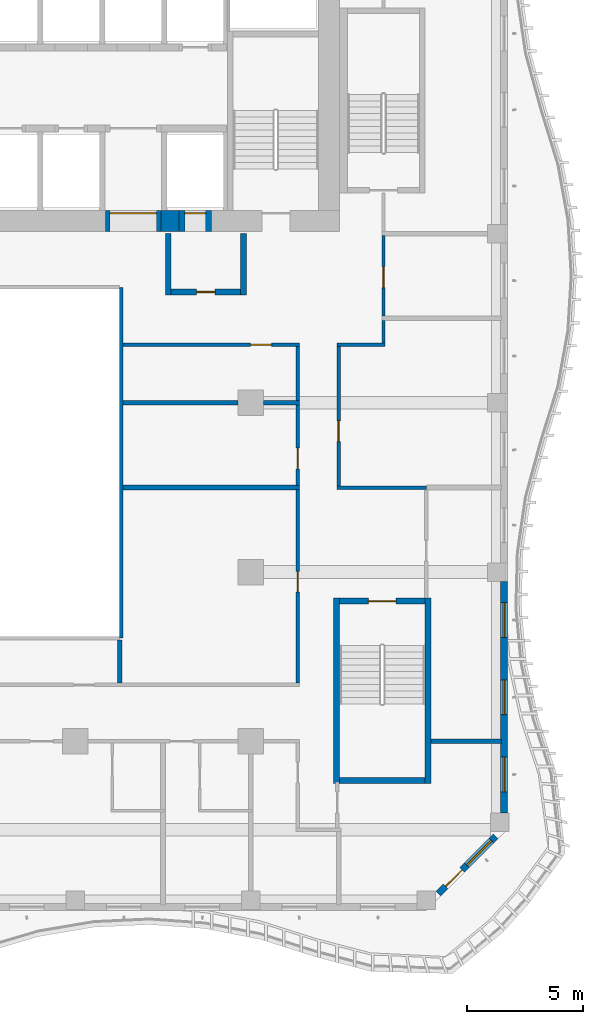
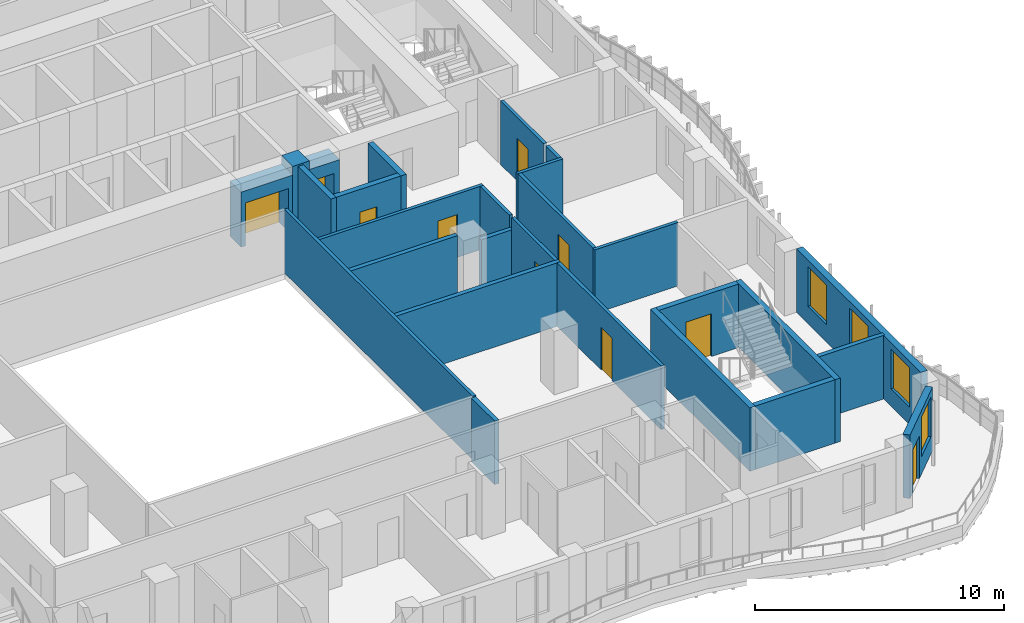
# One storey, part 5 of 22: 27 walls, 10 doors, 4 windows, 14 openings.
"""IFC4 building model written with IfcOpenShell, lengths in metres."""

from ifc_helpers import new_model, si_unit, direction, frame, frame_2d, origin, place, context, subcontext, project, spatial, rectangle, extrude, source, transform, mapped, material, layer, layer_set, type_object, element, fill, save


model = new_model("IFC4")

# Units and contexts
model_context = context("Model", 3, precision=1e-05, world=origin(), true_north=direction((0.0, 1.0)))
body_context = subcontext(model_context, "Body", "Model", "MODEL_VIEW")
ifc_project = project(units=[si_unit("LENGTHUNIT", "METRE"), si_unit("AREAUNIT", "SQUARE_METRE"), si_unit("VOLUMEUNIT", "CUBIC_METRE"), si_unit("PLANEANGLEUNIT", "RADIAN"), si_unit("MASSUNIT", "GRAM", prefix="KILO")], contexts=[model_context])

# Site, building, storey
site_placement = place(None, origin())
site = spatial("IfcSite", under=ifc_project, at=site_placement, CompositionType="ELEMENT")
building_placement = place(site_placement, origin())
building = spatial("IfcBuilding", under=site, at=building_placement, Name="Kilnfold Tower and Market Hall", CompositionType="ELEMENT")
storey_placement = place(building_placement, frame((0.0, 0.0, 154.10009765625)))
storey = spatial("IfcBuildingStorey", under=building, at=storey_placement, Name="L35", CompositionType="ELEMENT", Elevation=154.10009765625)

# Wall
ifc_material_1 = material(Name="Fire-resisting glazed screen")
ifc_layer_1 = layer(ifc_material_1, 0.14990234375)
ifc_layer_set_1 = layer_set([ifc_layer_1], Name="Fire-resisting glazed screen")
wall_type_1 = type_object("IfcWallType", Name="WALL ATRIUM 150", PredefinedType="PARTITIONING", material=ifc_layer_set_1)
wall_1_placement = place(storey_placement, frame((8.574951171875, 5.675048828125, 0.0), z_axis=(0.0, 0.0, 1.0), x_axis=(0.0, -1.0, 0.0)))
element("IfcWall", 1, at=wall_1_placement, inside=storey, type_object=wall_type_1, Name="Partition LY23.110", PredefinedType="PARTITIONING", context=body_context, shape_type="SweptSolid", body=[
    extrude(rectangle(XDim=15.150146484375, YDim=0.14990234375, at=frame_2d((7.5751953125, 0.0))), origin(), (0.0, 0.0, 1.0), 3.119873046875),
])

# Wall, opening, door
ifc_material_2 = material(Name="Gypsum board on steel studs", Category="steel")
ifc_layer_2 = layer(ifc_material_2, 0.14990234375)
ifc_layer_set_2 = layer_set([ifc_layer_2], Name="Gypsum board on steel studs")
wall_type_2 = type_object("IfcWallType", Name="WALL CORRIDOR 150", PredefinedType="PARTITIONING", material=ifc_layer_set_2)
wall_2_placement = place(storey_placement, frame((19.89990234375, 4.43408203125, 0.0), z_axis=(0.0, 0.0, 1.0), x_axis=(0.0, 1.0, 0.0)))
wall_2 = element("IfcWall", 2, at=wall_2_placement, inside=storey, type_object=wall_type_2, Name="Partition LY23.23", PredefinedType="PARTITIONING", context=body_context, shape_type="SweptSolid", body=[
    extrude(rectangle(XDim=3.475830078125, YDim=0.14990234375, at=frame_2d((1.73779296875, 0.0))), origin(), (0.0, 0.0, 1.0), 3.119873046875),
])
opening_1_placement = place(wall_2_placement, frame((1.236083984375, 0.0, 0.0)))
opening_1 = element("IfcOpeningElement", 3, at=opening_1_placement, cuts=wall_2, Name="Opening D2", PredefinedType="OPENING", context=body_context, shape_type="SweptSolid", body=[
    extrude(rectangle(XDim=0.89990234375, YDim=2.10009765625, at=frame_2d((0.449951171875, 1.050048828125))), frame((0.0, 0.0849609375, 0.0), z_axis=(0.0, -1.0, 0.0), x_axis=(1.0, 0.0, 0.0)), (0.0, 0.0, 1.0), 0.169921875),
])
ifc_material_3 = material(Name="Timber veneer door leaf in steel frame", Category="steel")
door_type_1 = type_object("IfcDoorType", Name="DOOR ROOM 900 X2100", OperationType="NOTDEFINED", PredefinedType="DOOR", material=ifc_material_3)
door_1_placement = place(opening_1_placement, origin())
door_1 = element("IfcDoor", 4, at=door_1_placement, inside=storey, type_object=door_type_1, Name="Door D2", OperationType="SINGLE_SWING_LEFT", OverallHeight=2.10009765625, OverallWidth=0.89990234375, PredefinedType="DOOR", context=body_context, shape_type="SweptSolid", body=[
    extrude(rectangle(XDim=0.89990234375, YDim=2.10009765625, at=frame_2d((0.449951171875, 1.050048828125))), frame((0.0, 0.02490234375, 0.0), z_axis=(0.0, -1.0, 0.0), x_axis=(1.0, 0.0, 0.0)), (0.0, 0.0, 1.0), 0.050048828125),
])
fill(opening_1, door_1)

# Walls
wall_3_placement = place(storey_placement, frame((19.89990234375, 3.27490234375, 0.0), z_axis=(0.0, 0.0, 1.0), x_axis=(0.0, 1.0, 0.0)))
element("IfcWall", 5, at=wall_3_placement, inside=storey, type_object=wall_type_2, Name="Partition LY23.27", PredefinedType="PARTITIONING", context=body_context, shape_type="SweptSolid", body=[
    extrude(rectangle(XDim=0.97900390625, YDim=0.14990234375, at=frame_2d((0.489501953125, 0.0))), origin(), (0.0, 0.0, 1.0), 3.119873046875),
])
wall_4_placement = place(storey_placement, frame((17.884033203125, 3.199951171875, 0.0), z_axis=(0.0, 0.0, 1.0), x_axis=(1.0, 0.0, 0.0)))
element("IfcWall", 6, at=wall_4_placement, inside=storey, type_object=wall_type_2, Name="Partition LY23.28", PredefinedType="PARTITIONING", context=body_context, shape_type="SweptSolid", body=[
    extrude(rectangle(XDim=2.091064453125, YDim=0.14990234375, at=frame_2d((1.04541015625, 0.0))), origin(), (0.0, 0.0, 1.0), 3.119873046875),
])

# Wall, opening, door
wall_5_placement = place(storey_placement, frame((17.958984375, -2.89404296875, 0.0), z_axis=(0.0, 0.0, 1.0), x_axis=(0.0, 1.0, 0.0)))
wall_5 = element("IfcWall", 7, at=wall_5_placement, inside=storey, type_object=wall_type_2, Name="Partition LY23.29", PredefinedType="PARTITIONING", context=body_context, shape_type="SweptSolid", body=[
    extrude(rectangle(XDim=6.01904296875, YDim=0.14990234375, at=frame_2d((3.009521484375, 0.0))), origin(), (0.0, 0.0, 1.0), 3.119873046875),
])
opening_2_placement = place(wall_5_placement, frame((1.906982421875, 0.0, 0.0)))
opening_2 = element("IfcOpeningElement", 8, at=opening_2_placement, cuts=wall_5, Name="Opening D2", PredefinedType="OPENING", context=body_context, shape_type="SweptSolid", body=[
    extrude(rectangle(XDim=0.89990234375, YDim=2.10009765625, at=frame_2d((0.449951171875, 1.050048828125))), frame((0.0, 0.0849609375, 0.0), z_axis=(0.0, -1.0, 0.0), x_axis=(1.0, 0.0, 0.0)), (0.0, 0.0, 1.0), 0.169921875),
])
door_2_placement = place(opening_2_placement, origin())
door_2 = element("IfcDoor", 9, at=door_2_placement, inside=storey, type_object=door_type_1, Name="Door D2", OperationType="SINGLE_SWING_RIGHT", OverallHeight=2.10009765625, OverallWidth=0.89990234375, PredefinedType="DOOR", context=body_context, shape_type="SweptSolid", body=[
    extrude(rectangle(XDim=0.89990234375, YDim=2.10009765625, at=frame_2d((0.449951171875, 1.050048828125))), frame((0.0, 0.02490234375, 0.0), z_axis=(0.0, -1.0, 0.0), x_axis=(1.0, 0.0, 0.0)), (0.0, 0.0, 1.0), 0.050048828125),
])
fill(opening_2, door_2)

# Wall
wall_6_placement = place(storey_placement, frame((21.7509765625, -2.968994140625, 0.0), z_axis=(0.0, 0.0, 1.0), x_axis=(-1.0, 0.0, 0.0)))
element("IfcWall", 10, at=wall_6_placement, inside=storey, type_object=wall_type_2, Name="Partition LY23.30", PredefinedType="PARTITIONING", context=body_context, shape_type="SweptSolid", body=[
    extrude(rectangle(XDim=3.866943359375, YDim=0.14990234375, at=frame_2d((1.93359375, 0.0))), origin(), (0.0, 0.0, 1.0), 3.119873046875),
])

# Wall, opening, door
wall_7_placement = place(storey_placement, frame((16.199951171875, -11.425048828125, 0.0), z_axis=(0.0, 0.0, 1.0), x_axis=(0.0, 1.0, 0.0)))
wall_7 = element("IfcWall", 11, at=wall_7_placement, inside=storey, type_object=wall_type_2, Name="Partition LY23.40", PredefinedType="PARTITIONING", context=body_context, shape_type="SweptSolid", body=[
    extrude(rectangle(XDim=8.365966796875, YDim=0.14990234375, at=frame_2d((4.18310546875, 0.0))), origin(), (0.0, 0.0, 1.0), 3.119873046875),
])
opening_3_placement = place(wall_7_placement, frame((3.93505859375, 0.0, 0.0)))
opening_3 = element("IfcOpeningElement", 12, at=opening_3_placement, cuts=wall_7, Name="Opening D2", PredefinedType="OPENING", context=body_context, shape_type="SweptSolid", body=[
    extrude(rectangle(XDim=0.89990234375, YDim=2.10009765625, at=frame_2d((0.449951171875, 1.050048828125))), frame((0.0, 0.0849609375, 0.0), z_axis=(0.0, -1.0, 0.0), x_axis=(1.0, 0.0, 0.0)), (0.0, 0.0, 1.0), 0.169921875),
])
door_3_placement = place(opening_3_placement, origin())
door_3 = element("IfcDoor", 13, at=door_3_placement, inside=storey, type_object=door_type_1, Name="Door D2", OperationType="SINGLE_SWING_RIGHT", OverallHeight=2.10009765625, OverallWidth=0.89990234375, PredefinedType="DOOR", context=body_context, shape_type="SweptSolid", body=[
    extrude(rectangle(XDim=0.89990234375, YDim=2.10009765625, at=frame_2d((0.449951171875, 1.050048828125))), frame((0.0, 0.02490234375, 0.0), z_axis=(0.0, -1.0, 0.0), x_axis=(1.0, 0.0, 0.0)), (0.0, 0.0, 1.0), 0.050048828125),
])
fill(opening_3, door_3)

wall_8_placement = place(storey_placement, frame((16.199951171875, -2.87890625, 0.0), z_axis=(0.0, 0.0, 1.0), x_axis=(0.0, 1.0, 0.0)))
wall_8 = element("IfcWall", 14, at=wall_8_placement, inside=storey, type_object=wall_type_2, Name="Partition LY23.41", PredefinedType="PARTITIONING", context=body_context, shape_type="SweptSolid", body=[
    extrude(rectangle(XDim=3.476806640625, YDim=0.14990234375, at=frame_2d((1.73828125, 0.0))), origin(), (0.0, 0.0, 1.0), 3.119873046875),
])
opening_4_placement = place(wall_8_placement, frame((0.718017578125, 0.0, 0.0)))
opening_4 = element("IfcOpeningElement", 15, at=opening_4_placement, cuts=wall_8, Name="Opening D2", PredefinedType="OPENING", context=body_context, shape_type="SweptSolid", body=[
    extrude(rectangle(XDim=0.89990234375, YDim=2.10009765625, at=frame_2d((0.449951171875, 1.050048828125))), frame((0.0, 0.0849609375, 0.0), z_axis=(0.0, -1.0, 0.0), x_axis=(1.0, 0.0, 0.0)), (0.0, 0.0, 1.0), 0.169921875),
])
door_4_placement = place(opening_4_placement, origin())
door_4 = element("IfcDoor", 16, at=door_4_placement, inside=storey, type_object=door_type_1, Name="Door D2", OperationType="SINGLE_SWING_LEFT", OverallHeight=2.10009765625, OverallWidth=0.89990234375, PredefinedType="DOOR", context=body_context, shape_type="SweptSolid", body=[
    extrude(rectangle(XDim=0.89990234375, YDim=2.10009765625, at=frame_2d((0.449951171875, 1.050048828125))), frame((0.0, 0.02490234375, 0.0), z_axis=(0.0, -1.0, 0.0), x_axis=(1.0, 0.0, 0.0)), (0.0, 0.0, 1.0), 0.050048828125),
])
fill(opening_4, door_4)

# Wall
wall_9_placement = place(storey_placement, frame((16.199951171875, 0.778076171875, 0.0), z_axis=(0.0, 0.0, 1.0), x_axis=(0.0, 1.0, 0.0)))
element("IfcWall", 17, at=wall_9_placement, inside=storey, type_object=wall_type_2, Name="Partition LY23.42", PredefinedType="PARTITIONING", context=body_context, shape_type="SweptSolid", body=[
    extrude(rectangle(XDim=2.346923828125, YDim=0.14990234375, at=frame_2d((1.17333984375, 0.0))), origin(), (0.0, 0.0, 1.0), 3.119873046875),
])

# Wall, opening, door
wall_10_placement = place(storey_placement, frame((8.64990234375, 3.199951171875, 0.0), z_axis=(0.0, 0.0, 1.0), x_axis=(1.0, 0.0, 0.0)))
wall_10 = element("IfcWall", 18, at=wall_10_placement, inside=storey, type_object=wall_type_2, Name="Partition LY23.43", PredefinedType="PARTITIONING", context=body_context, shape_type="SweptSolid", body=[
    extrude(rectangle(XDim=7.625, YDim=0.14990234375, at=frame_2d((3.8125, 0.0))), origin(), (0.0, 0.0, 1.0), 3.119873046875),
])
opening_5_placement = place(wall_10_placement, frame((5.512939453125, 0.0, 0.0)))
opening_5 = element("IfcOpeningElement", 19, at=opening_5_placement, cuts=wall_10, Name="Opening D2", PredefinedType="OPENING", context=body_context, shape_type="SweptSolid", body=[
    extrude(rectangle(XDim=0.89990234375, YDim=2.10009765625, at=frame_2d((0.449951171875, 1.050048828125))), frame((0.0, 0.0849609375, 0.0), z_axis=(0.0, -1.0, 0.0), x_axis=(1.0, 0.0, 0.0)), (0.0, 0.0, 1.0), 0.169921875),
])
door_5_placement = place(opening_5_placement, origin())
door_5 = element("IfcDoor", 20, at=door_5_placement, inside=storey, type_object=door_type_1, Name="Door D2", OperationType="SINGLE_SWING_LEFT", OverallHeight=2.10009765625, OverallWidth=0.89990234375, PredefinedType="DOOR", context=body_context, shape_type="SweptSolid", body=[
    extrude(rectangle(XDim=0.89990234375, YDim=2.10009765625, at=frame_2d((0.449951171875, 1.050048828125))), frame((0.0, 0.02490234375, 0.0), z_axis=(0.0, -1.0, 0.0), x_axis=(1.0, 0.0, 0.0)), (0.0, 0.0, 1.0), 0.050048828125),
])
fill(opening_5, door_5)

# Walls
ifc_material_4 = material(Name="Gypsum board on steel studs", Category="steel")
ifc_layer_3 = layer(ifc_material_4, 0.199951171875)
ifc_layer_set_3 = layer_set([ifc_layer_3], Name="Gypsum board on steel studs")
wall_type_3 = type_object("IfcWallType", Name="WALL PARTY 200", PredefinedType="PARTITIONING", material=ifc_layer_set_3)
wall_11_placement = place(storey_placement, frame((25.0, -13.93798828125, 0.0), z_axis=(0.0, 0.0, 1.0), x_axis=(-1.0, 0.0, 0.0)))
element("IfcWall", 21, at=wall_11_placement, inside=storey, type_object=wall_type_3, Name="Partition LY23.61", PredefinedType="PARTITIONING", context=body_context, shape_type="SweptSolid", body=[
    extrude(rectangle(XDim=3.050048828125, YDim=0.199951171875, at=frame_2d((1.52490234375, 0.0))), origin(), (0.0, 0.0, 1.0), 3.119873046875),
])
wall_12_placement = place(storey_placement, frame((8.5, -11.423095703125, 0.0), z_axis=(0.0, 0.0, 1.0), x_axis=(0.0, 1.0, 0.0)))
element("IfcWall", 22, at=wall_12_placement, inside=storey, type_object=wall_type_3, Name="Partition LY23.103", PredefinedType="PARTITIONING", context=body_context, shape_type="SweptSolid", body=[
    extrude(rectangle(XDim=1.873046875, YDim=0.199951171875, at=frame_2d((0.9365234375, 0.0))), origin(), (0.0, 0.0, 1.0), 3.119873046875),
])
wall_13_placement = place(storey_placement, frame((8.64990234375, -2.968994140625, 0.0), z_axis=(0.0, 0.0, 1.0), x_axis=(1.0, 0.0, 0.0)))
element("IfcWall", 23, at=wall_13_placement, inside=storey, type_object=wall_type_3, Name="Partition LY23.104", PredefinedType="PARTITIONING", context=body_context, shape_type="SweptSolid", body=[
    extrude(rectangle(XDim=7.623046875, YDim=0.199951171875, at=frame_2d((3.8115234375, 0.0))), origin(), (0.0, 0.0, 1.0), 3.119873046875),
])
wall_14_placement = place(storey_placement, frame((14.717041015625, 0.68798828125, 0.0), z_axis=(0.0, 0.0, 1.0), x_axis=(1.0, 0.0, 0.0)))
element("IfcWall", 24, at=wall_14_placement, inside=storey, type_object=wall_type_3, Name="Partition LY23.105", PredefinedType="PARTITIONING", context=body_context, shape_type="SweptSolid", body=[
    extrude(rectangle(XDim=1.555908203125, YDim=0.199951171875, at=frame_2d((0.77783203125, 0.0))), origin(), (0.0, 0.0, 1.0), 2.52001953125),
])
wall_15_placement = place(storey_placement, frame((8.64990234375, 0.68798828125, 0.0), z_axis=(0.0, 0.0, 1.0), x_axis=(1.0, 0.0, 0.0)))
element("IfcWall", 25, at=wall_15_placement, inside=storey, type_object=wall_type_3, Name="Partition LY23.106", PredefinedType="PARTITIONING", context=body_context, shape_type="SweptSolid", body=[
    extrude(rectangle(XDim=4.967041015625, YDim=0.199951171875, at=frame_2d((2.4833984375, 0.0))), origin(), (0.0, 0.0, 1.0), 3.119873046875),
])
ifc_material_5 = material(Name="Concrete C70", Category="concrete")
ifc_layer_4 = layer(ifc_material_5, 0.89990234375)
ifc_layer_set_4 = layer_set([ifc_layer_4], Name="Concrete C70")
wall_type_4 = type_object("IfcWallType", Name="CORE WALL 900 C70", PredefinedType="SHEAR", material=ifc_layer_set_4)
shared_shape_1 = source(origin(), body_context, "Body", "SweptSolid", [
    extrude(rectangle(XDim=0.780029296875, YDim=0.89990234375, at=frame_2d((0.39013671875, 0.0))), origin(), (0.0, 0.0, 1.0), 3.119873046875),
])
wall_16_placement = place(storey_placement, frame((10.2900390625, 8.550048828125, 0.0), z_axis=(0.0, 0.0, 1.0), x_axis=(1.0, 0.0, 0.0)))
element("IfcWall", 26, at=wall_16_placement, inside=storey, type_object=wall_type_4, Name="Core outer wall south", PredefinedType="SHEAR", context=body_context, shape_type="MappedRepresentation", body=[
    mapped(shared_shape_1, transform((0.0, 0.0, 0.0))),
])
ifc_material_6 = material(Name="Concrete C70", Category="concrete")
ifc_layer_5 = layer(ifc_material_6, 0.25)
ifc_layer_set_5 = layer_set([ifc_layer_5], Name="Concrete C70")
wall_type_5 = type_object("IfcWallType", Name="CORE WALL 250 C70", PredefinedType="SHEAR", material=ifc_layer_set_5)
shared_shape_2 = source(origin(), body_context, "Body", "SweptSolid", [
    extrude(rectangle(XDim=3.699951171875, YDim=0.25, at=frame_2d((1.85009765625, 0.0))), origin(), (0.0, 0.0, 1.0), 3.119873046875),
])
wall_17_placement = place(storey_placement, frame((18.0, -15.625, 0.0), z_axis=(0.0, 0.0, 1.0), x_axis=(1.0, 0.0, 0.0)))
element("IfcWall", 27, at=wall_17_placement, inside=storey, type_object=wall_type_5, Name="Stair enclosure ST4", PredefinedType="SHEAR", context=body_context, shape_type="MappedRepresentation", body=[
    mapped(shared_shape_2, transform((0.0, 0.0, 0.0))),
])

# Wall, opening, door
wall_18_placement = place(storey_placement, frame((18.0, -7.875, 0.0), z_axis=(0.0, 0.0, 1.0), x_axis=(1.0, 0.0, 0.0)))
wall_18 = element("IfcWall", 28, at=wall_18_placement, inside=storey, type_object=wall_type_5, Name="Stair enclosure ST4", PredefinedType="SHEAR", context=body_context, shape_type="MappedRepresentation", body=[
    mapped(shared_shape_2, transform((0.0, 0.0, 0.0))),
])
opening_6_placement = place(wall_18_placement, frame((1.25, 0.0, 0.0)))
opening_6 = element("IfcOpeningElement", 29, at=opening_6_placement, cuts=wall_18, Name="Opening SD1", PredefinedType="OPENING", context=body_context, shape_type="SweptSolid", body=[
    extrude(rectangle(XDim=1.199951171875, YDim=2.10009765625, at=frame_2d((0.60009765625, 1.050048828125))), frame((0.0, 0.135009765625, 0.0), z_axis=(0.0, -1.0, 0.0), x_axis=(1.0, 0.0, 0.0)), (0.0, 0.0, 1.0), 0.27001953125),
])
ifc_material_7 = material(Name="Steel door set with fire-resisting leaf", Category="steel")
door_type_2 = type_object("IfcDoorType", Name="STAIR FLOOR DOOR 1200X2100", OperationType="NOTDEFINED", PredefinedType="DOOR", material=ifc_material_7)
door_6_placement = place(opening_6_placement, origin())
door_6 = element("IfcDoor", 30, at=door_6_placement, inside=storey, type_object=door_type_2, Name="Exit stair ST4 door", OperationType="DOUBLE_DOOR_SINGLE_SWING", OverallHeight=2.10009765625, OverallWidth=1.199951171875, PredefinedType="DOOR", context=body_context, shape_type="SweptSolid", body=[
    extrude(rectangle(XDim=1.199951171875, YDim=2.10009765625, at=frame_2d((0.60009765625, 1.050048828125))), frame((0.0, 0.02490234375, 0.0), z_axis=(0.0, -1.0, 0.0), x_axis=(1.0, 0.0, 0.0)), (0.0, 0.0, 1.0), 0.050048828125),
])
fill(opening_6, door_6)

# Walls
shared_shape_3 = source(origin(), body_context, "Body", "SweptSolid", [
    extrude(rectangle(XDim=8.0, YDim=0.25, at=frame_2d((4.0, 0.0))), origin(), (0.0, 0.0, 1.0), 3.119873046875),
])
for number, where, z_axis, x_axis, name in (
    (31, (17.875, -15.75, 0.0), (0.0, 0.0, 1.0), (0.0, 1.0, 0.0), "Stair enclosure ST4"),
    (32, (21.824951171875, -15.75, 0.0), (0.0, 0.0, 1.0), (0.0, 1.0, 0.0), "Stair enclosure ST4"),
):
    element("IfcWall", number, at=place(storey_placement, frame(where, z_axis=z_axis, x_axis=x_axis)), inside=storey, type_object=wall_type_5, Name=name, PredefinedType="SHEAR", context=body_context, shape_type="MappedRepresentation", body=[
        mapped(shared_shape_3, transform((0.0, 0.0, 0.0))),
    ])

# Wall, openings, door, window
ifc_material_8 = material(Name="Precast concrete C50/60", Category="concrete")
ifc_layer_6 = layer(ifc_material_8, 0.300048828125)
ifc_layer_set_6 = layer_set([ifc_layer_6], Name="Precast concrete C50/60")
wall_type_6 = type_object("IfcWallType", Name="PRECAST WALL 300", PredefinedType="SOLIDWALL", material=ifc_layer_set_6)
shared_shape_4 = source(origin(), body_context, "Body", "SweptSolid", [
    extrude(rectangle(XDim=3.500244140625, YDim=0.300048828125, at=frame_2d((1.75, 0.0))), origin(), (0.0, 0.0, 1.0), 3.119873046875),
])
wall_19_placement = place(storey_placement, frame((22.268798828125, -20.518798828125, 0.0), z_axis=(0.0, 0.0, 1.0), x_axis=(0.707141656123, 0.70707190453, 0.0)))
wall_19 = element("IfcWall", 33, at=wall_19_placement, inside=storey, type_object=wall_type_6, Name="External wall L35 SE", PredefinedType="SOLIDWALL", context=body_context, shape_type="MappedRepresentation", body=[
    mapped(shared_shape_4, transform((0.0, 0.0, 0.0))),
])
opening_7_placement = place(wall_19_placement, frame((1.75, 0.0, 0.85009765625)))
opening_7 = element("IfcOpeningElement", 34, at=opening_7_placement, cuts=wall_19, Name="Opening W4", PredefinedType="OPENING", context=body_context, shape_type="SweptSolid", body=[
    extrude(rectangle(XDim=1.5, YDim=1.949951171875, at=frame_2d((0.75, 0.97509765625))), frame((0.0, 0.16015625, 0.0), z_axis=(0.0, -1.0, 0.0), x_axis=(1.0, 0.0, 0.0)), (0.0, 0.0, 1.0), 0.320068359375),
])
opening_8_placement = place(wall_19_placement, frame((0.449951171875, 0.0, 0.0)))
opening_8 = element("IfcOpeningElement", 35, at=opening_8_placement, cuts=wall_19, Name="Opening BD1", PredefinedType="OPENING", context=body_context, shape_type="SweptSolid", body=[
    extrude(rectangle(XDim=1.0, YDim=2.10009765625, at=frame_2d((0.5, 1.050048828125))), frame((0.0, 0.16015625, 0.0), z_axis=(0.0, -1.0, 0.0), x_axis=(1.0, 0.0, 0.0)), (0.0, 0.0, 1.0), 0.320068359375),
])
ifc_material_9 = material(Name="Aluminium frame and double glazing", Category="aluminium")
door_type_3 = type_object("IfcDoorType", Name="BALCONY DOOR 1000X2100", OperationType="NOTDEFINED", PredefinedType="DOOR", material=ifc_material_9)
door_7_placement = place(opening_8_placement, origin())
door_7 = element("IfcDoor", 36, at=door_7_placement, inside=storey, type_object=door_type_3, Name="Balcony door BD1 L35 SE-1", OperationType="SINGLE_SWING_LEFT", OverallHeight=2.10009765625, OverallWidth=1.0, PredefinedType="DOOR", context=body_context, shape_type="SweptSolid", body=[
    extrude(rectangle(XDim=1.0, YDim=2.10009765625, at=frame_2d((0.5, 1.050048828125))), frame((0.0, 0.02490234375, 0.0), z_axis=(0.0, -1.0, 0.0), x_axis=(1.0, 0.0, 0.0)), (0.0, 0.0, 1.0), 0.050048828125),
])
fill(opening_8, door_7)
ifc_material_10 = material(Name="Aluminium frame and double glazing", Category="aluminium")
window_type = type_object("IfcWindowType", Name="WINDOW W4 1500X1950", PartitioningType="SINGLE_PANEL", PredefinedType="WINDOW", material=ifc_material_10)
window_1_placement = place(opening_7_placement, origin())
window_1 = element("IfcWindow", 37, at=window_1_placement, inside=storey, type_object=window_type, Name="Window W4 L35 SE-1", OverallHeight=1.949951171875, OverallWidth=1.5, PartitioningType="SINGLE_PANEL", PredefinedType="WINDOW", context=body_context, shape_type="SweptSolid", body=[
    extrude(rectangle(XDim=1.5, YDim=1.949951171875, at=frame_2d((0.75, 0.97509765625))), frame((0.0, 0.030029296875, 0.0), z_axis=(0.0, -1.0, 0.0), x_axis=(1.0, 0.0, 0.0)), (0.0, 0.0, 1.0), 0.06005859375),
])
fill(opening_7, window_1)

# Wall, openings, windows
shared_shape_5 = source(origin(), body_context, "Body", "SweptSolid", [
    extrude(rectangle(XDim=10.0068359375, YDim=0.300048828125, at=frame_2d((5.00341796875, 0.0))), origin(), (0.0, 0.0, 1.0), 3.119873046875),
])
wall_20_placement = place(storey_placement, frame((25.10009765625, -17.03173828125, 0.0), z_axis=(0.0, 0.0, 1.0), x_axis=(0.0, 1.0, 0.0)))
wall_20 = element("IfcWall", 38, at=wall_20_placement, inside=storey, type_object=wall_type_6, Name="External wall L35 E", PredefinedType="SOLIDWALL", context=body_context, shape_type="MappedRepresentation", body=[
    mapped(shared_shape_5, transform((0.0, 0.0, 0.0))),
])
opening_9_placement = place(wall_20_placement, frame((0.917724609375, 0.0, 0.85009765625)))
opening_9 = element("IfcOpeningElement", 39, at=opening_9_placement, cuts=wall_20, Name="Opening W4", PredefinedType="OPENING", context=body_context, shape_type="SweptSolid", body=[
    extrude(rectangle(XDim=1.5, YDim=1.949951171875, at=frame_2d((0.75, 0.97509765625))), frame((0.0, 0.16015625, 0.0), z_axis=(0.0, -1.0, 0.0), x_axis=(1.0, 0.0, 0.0)), (0.0, 0.0, 1.0), 0.320068359375),
])
opening_10_placement = place(wall_20_placement, frame((4.25341796875, 0.0, 0.85009765625)))
opening_10 = element("IfcOpeningElement", 40, at=opening_10_placement, cuts=wall_20, Name="Opening W4", PredefinedType="OPENING", context=body_context, shape_type="SweptSolid", body=[
    extrude(rectangle(XDim=1.5, YDim=1.949951171875, at=frame_2d((0.75, 0.97509765625))), frame((0.0, 0.16015625, 0.0), z_axis=(0.0, -1.0, 0.0), x_axis=(1.0, 0.0, 0.0)), (0.0, 0.0, 1.0), 0.320068359375),
])
opening_11_placement = place(wall_20_placement, frame((7.589111328125, 0.0, 0.85009765625)))
opening_11 = element("IfcOpeningElement", 41, at=opening_11_placement, cuts=wall_20, Name="Opening W4", PredefinedType="OPENING", context=body_context, shape_type="SweptSolid", body=[
    extrude(rectangle(XDim=1.5, YDim=1.949951171875, at=frame_2d((0.75, 0.97509765625))), frame((0.0, 0.16015625, 0.0), z_axis=(0.0, -1.0, 0.0), x_axis=(1.0, 0.0, 0.0)), (0.0, 0.0, 1.0), 0.320068359375),
])
window_2_placement = place(opening_9_placement, origin())
window_2 = element("IfcWindow", 42, at=window_2_placement, inside=storey, type_object=window_type, Name="Window W4 L35 E-1", OverallHeight=1.949951171875, OverallWidth=1.5, PartitioningType="SINGLE_PANEL", PredefinedType="WINDOW", context=body_context, shape_type="SweptSolid", body=[
    extrude(rectangle(XDim=1.5, YDim=1.949951171875, at=frame_2d((0.75, 0.97509765625))), frame((0.0, 0.030029296875, 0.0), z_axis=(0.0, -1.0, 0.0), x_axis=(1.0, 0.0, 0.0)), (0.0, 0.0, 1.0), 0.06005859375),
])
fill(opening_9, window_2)
window_3_placement = place(opening_10_placement, origin())
window_3 = element("IfcWindow", 43, at=window_3_placement, inside=storey, type_object=window_type, Name="Window W4 L35 E-2", OverallHeight=1.949951171875, OverallWidth=1.5, PartitioningType="SINGLE_PANEL", PredefinedType="WINDOW", context=body_context, shape_type="SweptSolid", body=[
    extrude(rectangle(XDim=1.5, YDim=1.949951171875, at=frame_2d((0.75, 0.97509765625))), frame((0.0, 0.030029296875, 0.0), z_axis=(0.0, -1.0, 0.0), x_axis=(1.0, 0.0, 0.0)), (0.0, 0.0, 1.0), 0.06005859375),
])
fill(opening_10, window_3)
window_4_placement = place(opening_11_placement, origin())
window_4 = element("IfcWindow", 44, at=window_4_placement, inside=storey, type_object=window_type, Name="Window W4 L35 E-3", OverallHeight=1.949951171875, OverallWidth=1.5, PartitioningType="SINGLE_PANEL", PredefinedType="WINDOW", context=body_context, shape_type="SweptSolid", body=[
    extrude(rectangle(XDim=1.5, YDim=1.949951171875, at=frame_2d((0.75, 0.97509765625))), frame((0.0, 0.030029296875, 0.0), z_axis=(0.0, -1.0, 0.0), x_axis=(1.0, 0.0, 0.0)), (0.0, 0.0, 1.0), 0.06005859375),
])
fill(opening_11, window_4)

# Wall, opening, door
ifc_material_11 = material(Name="Gypsum shaft wall system")
ifc_layer_7 = layer(ifc_material_11, 0.89990234375)
ifc_layer_set_7 = layer_set([ifc_layer_7], Name="Gypsum shaft wall system")
wall_type_7 = type_object("IfcWallType", Name="LOBBY WALL 900", PredefinedType="PARTITIONING", material=ifc_layer_set_7)
shared_shape_6 = source(origin(), body_context, "Body", "SweptSolid", [
    extrude(rectangle(XDim=1.39990234375, YDim=0.89990234375, at=frame_2d((0.699951171875, 0.0))), origin(), (0.0, 0.0, 1.0), 2.699951171875),
])
wall_21_placement = place(storey_placement, frame((11.070068359375, 8.550048828125, 0.0), z_axis=(0.0, 0.0, 1.0), x_axis=(1.0, 0.0, 0.0)))
wall_21 = element("IfcWall", 45, at=wall_21_placement, inside=storey, type_object=wall_type_7, Name="Core wall infill", PredefinedType="PARTITIONING", context=body_context, shape_type="MappedRepresentation", body=[
    mapped(shared_shape_6, transform((0.0, 0.0, 0.0))),
])
opening_12_placement = place(wall_21_placement, frame((0.25, 0.0, 0.0)))
opening_12 = element("IfcOpeningElement", 46, at=opening_12_placement, cuts=wall_21, Name="Opening LD1", PredefinedType="OPENING", context=body_context, shape_type="SweptSolid", body=[
    extrude(rectangle(XDim=0.89990234375, YDim=2.10009765625, at=frame_2d((0.449951171875, 1.050048828125))), frame((0.0, 0.4599609375, 0.0), z_axis=(0.0, -1.0, 0.0), x_axis=(1.0, 0.0, 0.0)), (0.0, 0.0, 1.0), 0.919921875),
])
ifc_material_12 = material(Name="Steel door set with fire-resisting leaf", Category="steel")
door_type_4 = type_object("IfcDoorType", Name="FIREFIGHTING LANDING DOOR 900X2100", OperationType="NOTDEFINED", PredefinedType="DOOR", material=ifc_material_12)
door_8_placement = place(opening_12_placement, origin())
door_8 = element("IfcDoor", 47, at=door_8_placement, inside=storey, type_object=door_type_4, Name="Landing door FF3", OperationType="SLIDING_TO_LEFT", OverallHeight=2.10009765625, OverallWidth=0.89990234375, PredefinedType="DOOR", context=body_context, shape_type="SweptSolid", body=[
    extrude(rectangle(XDim=0.89990234375, YDim=2.10009765625, at=frame_2d((0.449951171875, 1.050048828125))), frame((0.0, 0.35498046875, 0.0), z_axis=(0.0, -1.0, 0.0), x_axis=(1.0, 0.0, 0.0)), (0.0, 0.0, 1.0), 0.050048828125),
])
fill(opening_12, door_8)

shared_shape_7 = source(origin(), body_context, "Body", "SweptSolid", [
    extrude(rectangle(XDim=2.400146484375, YDim=0.89990234375, at=frame_2d((1.2001953125, 0.0))), origin(), (0.0, 0.0, 1.0), 2.699951171875),
])
wall_22_placement = place(storey_placement, frame((7.889892578125, 8.550048828125, 0.0), z_axis=(0.0, 0.0, 1.0), x_axis=(1.0, 0.0, 0.0)))
wall_22 = element("IfcWall", 48, at=wall_22_placement, inside=storey, type_object=wall_type_7, Name="Core wall infill", PredefinedType="PARTITIONING", context=body_context, shape_type="MappedRepresentation", body=[
    mapped(shared_shape_7, transform((0.0, 0.0, 0.0))),
])
opening_13_placement = place(wall_22_placement, frame((0.199951171875, 0.0, 0.0)))
opening_13 = element("IfcOpeningElement", 49, at=opening_13_placement, cuts=wall_22, Name="Opening VD2", PredefinedType="OPENING", context=body_context, shape_type="SweptSolid", body=[
    extrude(rectangle(XDim=2.0, YDim=2.10009765625, at=frame_2d((1.0, 1.050048828125))), frame((0.0, 0.4599609375, 0.0), z_axis=(0.0, -1.0, 0.0), x_axis=(1.0, 0.0, 0.0)), (0.0, 0.0, 1.0), 0.919921875),
])
ifc_material_13 = material(Name="Steel door set with fire-resisting leaf", Category="steel")
door_type_5 = type_object("IfcDoorType", Name="LIFT LOBBY ENTRANCE DOOR 2000X2100", OperationType="NOTDEFINED", PredefinedType="DOOR", material=ifc_material_13)
door_9_placement = place(opening_13_placement, origin())
door_9 = element("IfcDoor", 50, at=door_9_placement, inside=storey, type_object=door_type_5, Name="Lift lobby entrance door", OperationType="DOUBLE_DOOR_SINGLE_SWING", OverallHeight=2.10009765625, OverallWidth=2.0, PredefinedType="DOOR", context=body_context, shape_type="SweptSolid", body=[
    extrude(rectangle(XDim=2.0, YDim=2.10009765625, at=frame_2d((1.0, 1.050048828125))), frame((0.0, 0.35498046875, 0.0), z_axis=(0.0, -1.0, 0.0), x_axis=(1.0, 0.0, 0.0)), (0.0, 0.0, 1.0), 0.050048828125),
])
fill(opening_13, door_9)

# Walls
ifc_material_14 = material(Name="Gypsum shaft wall system")
ifc_layer_8 = layer(ifc_material_14, 0.25)
ifc_layer_set_8 = layer_set([ifc_layer_8], Name="Gypsum shaft wall system")
wall_type_8 = type_object("IfcWallType", Name="LOBBY WALL 250", PredefinedType="PARTITIONING", material=ifc_layer_set_8)
shared_shape_8 = source(origin(), body_context, "Body", "SweptSolid", [
    extrude(rectangle(XDim=2.64990234375, YDim=0.25, at=frame_2d((1.324951171875, 0.0))), origin(), (0.0, 0.0, 1.0), 3.119873046875),
])
for number, where, z_axis, x_axis, name in (
    (51, (10.60498046875, 5.35009765625, 0.0), (0.0, 0.0, 1.0), (0.0, 1.0, 0.0), "Firefighting lobby wall"),
    (52, (13.85498046875, 5.35009765625, 0.0), (0.0, 0.0, 1.0), (0.0, 1.0, 0.0), "Firefighting lobby wall"),
):
    element("IfcWall", number, at=place(storey_placement, frame(where, z_axis=z_axis, x_axis=x_axis)), inside=storey, type_object=wall_type_8, Name=name, PredefinedType="PARTITIONING", context=body_context, shape_type="MappedRepresentation", body=[
        mapped(shared_shape_8, transform((0.0, 0.0, 0.0))),
    ])

# Wall, opening, door
shared_shape_9 = source(origin(), body_context, "Body", "SweptSolid", [
    extrude(rectangle(XDim=3.0, YDim=0.25, at=frame_2d((1.5, 0.0))), origin(), (0.0, 0.0, 1.0), 3.119873046875),
])
wall_23_placement = place(storey_placement, frame((10.72998046875, 5.47509765625, 0.0), z_axis=(0.0, 0.0, 1.0), x_axis=(1.0, 0.0, 0.0)))
wall_23 = element("IfcWall", 53, at=wall_23_placement, inside=storey, type_object=wall_type_8, Name="Firefighting lobby wall", PredefinedType="PARTITIONING", context=body_context, shape_type="MappedRepresentation", body=[
    mapped(shared_shape_9, transform((0.0, 0.0, 0.0))),
])
opening_14_placement = place(wall_23_placement, frame((1.10009765625, 0.0, 0.0)))
opening_14 = element("IfcOpeningElement", 54, at=opening_14_placement, cuts=wall_23, Name="Opening VD1", PredefinedType="OPENING", context=body_context, shape_type="SweptSolid", body=[
    extrude(rectangle(XDim=0.800048828125, YDim=2.0, at=frame_2d((0.39990234375, 1.0))), frame((0.0, 0.135009765625, 0.0), z_axis=(0.0, -1.0, 0.0), x_axis=(1.0, 0.0, 0.0)), (0.0, 0.0, 1.0), 0.27001953125),
])
ifc_material_15 = material(Name="Steel door set with fire-resisting leaf", Category="steel")
door_type_6 = type_object("IfcDoorType", Name="FIREFIGHTING LOBBY DOOR 800X2000", OperationType="NOTDEFINED", PredefinedType="DOOR", material=ifc_material_15)
door_10_placement = place(opening_14_placement, origin())
door_10 = element("IfcDoor", 55, at=door_10_placement, inside=storey, type_object=door_type_6, Name="Firefighting lobby door", OperationType="SINGLE_SWING_RIGHT", OverallHeight=2.0, OverallWidth=0.800048828125, PredefinedType="DOOR", context=body_context, shape_type="SweptSolid", body=[
    extrude(rectangle(XDim=0.800048828125, YDim=2.0, at=frame_2d((0.39990234375, 1.0))), frame((0.0, 0.02490234375, 0.0), z_axis=(0.0, -1.0, 0.0), x_axis=(1.0, 0.0, 0.0)), (0.0, 0.0, 1.0), 0.050048828125),
])
fill(opening_14, door_10)

save(model, "model.ifc")
